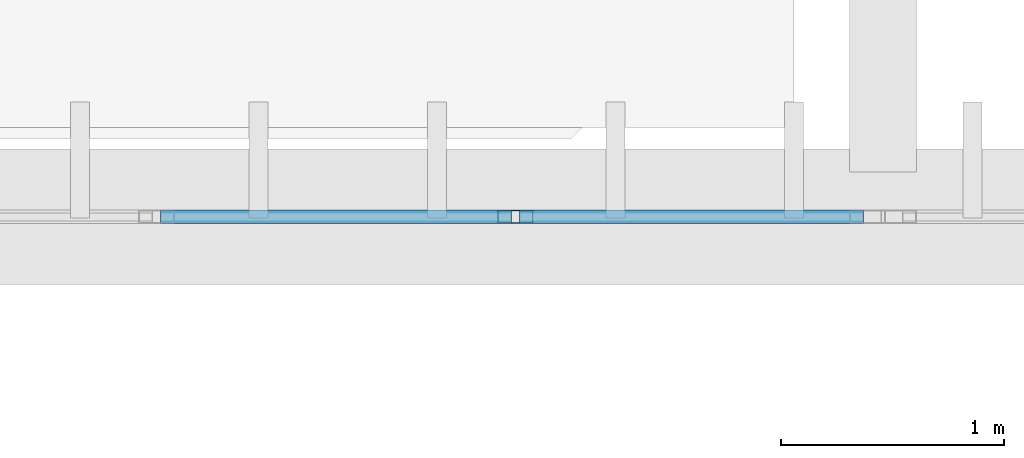
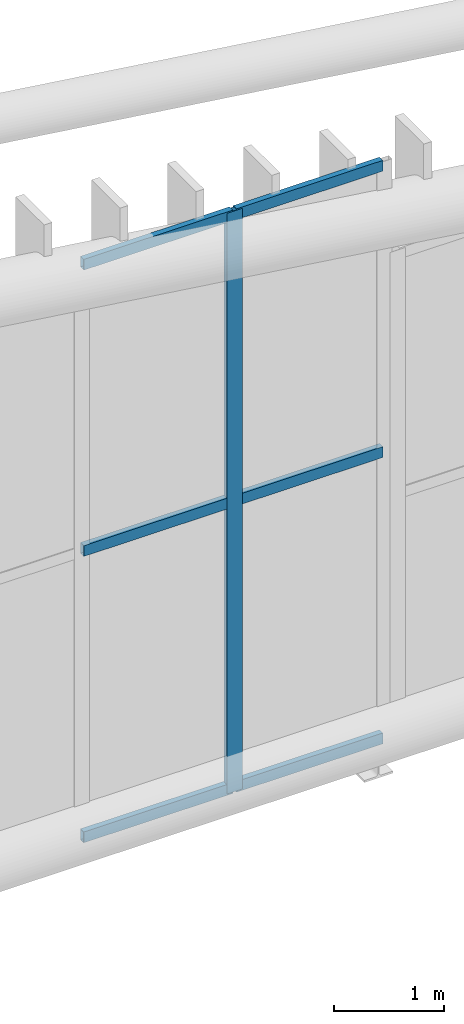
# One storey, part 330 of 397: 7 members, 1 element without a shape of its own.
"""IFC4 building model written with IfcOpenShell, lengths in metres."""

from ifc_helpers import new_model, si_unit, direction, frame, origin, origin_2d, place, context, subcontext, project, spatial, hollow_rectangle, extrude, material, material_profile, profile_set, type_object, element, aggregate, save


model = new_model("IFC4")

# Units and contexts
model_context = context("Model", 3, precision=1e-05, world=origin(), true_north=direction((0.0, 1.0)))
body_context = subcontext(model_context, "Body", "Model", "MODEL_VIEW")
ifc_project = project(units=[si_unit("LENGTHUNIT", "METRE"), si_unit("AREAUNIT", "SQUARE_METRE"), si_unit("VOLUMEUNIT", "CUBIC_METRE"), si_unit("PLANEANGLEUNIT", "RADIAN"), si_unit("MASSUNIT", "GRAM", prefix="KILO")], contexts=[model_context])

# Site, building, storey
site_placement = place(None, origin())
site = spatial("IfcSite", under=ifc_project, at=site_placement, CompositionType="ELEMENT")
building_placement = place(site_placement, origin())
building = spatial("IfcBuilding", under=site, at=building_placement, Name="Qandorah Velis Arena", CompositionType="ELEMENT")
storey_placement = place(building_placement, frame((0.0, 0.0, 27.5)))
storey = spatial("IfcBuildingStorey", under=building, at=storey_placement, Name="RF", CompositionType="ELEMENT", Elevation=27.5)

# Curtain wall, members
ifc_material_1 = material(Name="Solar-control low-E double glazing", Category="glass")
curtain_wall_type = type_object("IfcCurtainWallType", Name="ARC-CW-SYS06", PredefinedType="USERDEFINED", material=ifc_material_1)
curtain_wall_placement = place(storey_placement, origin())
curtain_wall = element("IfcCurtainWall", 1, at=curtain_wall_placement, inside=storey, type_object=curtain_wall_type, Name="Unitised curtain wall CROWN-4-06S1", ObjectType="UNITISED CURTAIN WALL", PredefinedType="USERDEFINED")
ifc_material_2 = material(Name="Champagne-bronze anodized aluminium 6063-T6", Category="aluminium")
ifc_material_profile_1 = material_profile(ifc_material_2, hollow_rectangle(XDim=0.06005859375, YDim=0.159912109375, WallThickness=0.00341796875, at=origin_2d()), Name="ALU MULLION 60x160")
ifc_profile_set_1 = profile_set([ifc_material_profile_1], Name="Champagne-bronze anodized aluminium 6063-T6")
member_type_1 = type_object("IfcMemberType", Name="ARC-CWM-160", PredefinedType="MULLION", material=ifc_profile_set_1)
member_1_placement = place(storey_placement, frame((91.951171875, 115.199951171875, -0.014892578125), z_axis=(0.0, 0.0, 1.0), x_axis=(0.0, 1.0, 0.0)))
member_1 = element("IfcMember", 2, at=member_1_placement, type_object=member_type_1, Name="CW06 mullion 4", PredefinedType="MULLION", context=body_context, shape_type="SweptSolid", body=[
    extrude(hollow_rectangle(XDim=0.06005859375, YDim=0.159912109375, WallThickness=0.00341796875, at=origin_2d()), origin(), (0.0, 0.0, 1.0), 6.469482421875),
])
ifc_material_profile_2 = material_profile(ifc_material_2, hollow_rectangle(XDim=0.06005859375, YDim=0.1201171875, WallThickness=0.0029296875, at=origin_2d()), Name="ALU TRANSOM 60x120")
ifc_profile_set_2 = profile_set([ifc_material_profile_2], Name="Champagne-bronze anodized aluminium 6063-T6")
member_type_2 = type_object("IfcMemberType", Name="ARC-CWT-120", PredefinedType="USERDEFINED", material=ifc_profile_set_2)
member_2_placement = place(storey_placement, frame((90.360595703125, 115.199951171875, 0.030029296875), z_axis=(1.0, 0.0, 0.0), x_axis=(0.0, 1.0, 0.0)))
member_2 = element("IfcMember", 3, at=member_2_placement, type_object=member_type_2, Name="CW06 transom 3.1", ObjectType="TRANSOM", PredefinedType="USERDEFINED", context=body_context, shape_type="SweptSolid", body=[
    extrude(hollow_rectangle(XDim=0.06005859375, YDim=0.1201171875, WallThickness=0.0029296875, at=origin_2d()), origin(), (0.0, 0.0, 1.0), 1.57275390625),
])
member_3_placement = place(storey_placement, frame((90.360595703125, 115.199951171875, 3.219970703125), z_axis=(1.0, 0.0, 0.0), x_axis=(0.0, 1.0, 0.0)))
member_3 = element("IfcMember", 4, at=member_3_placement, type_object=member_type_2, Name="CW06 transom 3.2", ObjectType="TRANSOM", PredefinedType="USERDEFINED", context=body_context, shape_type="SweptSolid", body=[
    extrude(hollow_rectangle(XDim=0.06005859375, YDim=0.1201171875, WallThickness=0.0029296875, at=origin_2d()), origin(), (0.0, 0.0, 1.0), 1.57275390625),
])
member_4_placement = place(storey_placement, frame((90.360595703125, 115.199951171875, 6.40966796875), z_axis=(1.0, 0.0, 0.0), x_axis=(0.0, 1.0, 0.0)))
member_4 = element("IfcMember", 5, at=member_4_placement, type_object=member_type_2, Name="CW06 transom 3.3", ObjectType="TRANSOM", PredefinedType="USERDEFINED", context=body_context, shape_type="SweptSolid", body=[
    extrude(hollow_rectangle(XDim=0.06005859375, YDim=0.1201171875, WallThickness=0.0029296875, at=origin_2d()), origin(), (0.0, 0.0, 1.0), 1.57275390625),
])
member_5_placement = place(storey_placement, frame((91.96923828125, 115.199951171875, 0.030029296875), z_axis=(1.0, 0.0, 0.0), x_axis=(0.0, 1.0, 0.0)))
member_5 = element("IfcMember", 6, at=member_5_placement, type_object=member_type_2, Name="CW06 transom 4.1", ObjectType="TRANSOM", PredefinedType="USERDEFINED", context=body_context, shape_type="SweptSolid", body=[
    extrude(hollow_rectangle(XDim=0.06005859375, YDim=0.1201171875, WallThickness=0.0029296875, at=origin_2d()), origin(), (0.0, 0.0, 1.0), 1.542724609375),
])
member_6_placement = place(storey_placement, frame((91.96923828125, 115.199951171875, 3.219970703125), z_axis=(1.0, 0.0, 0.0), x_axis=(0.0, 1.0, 0.0)))
member_6 = element("IfcMember", 7, at=member_6_placement, type_object=member_type_2, Name="CW06 transom 4.2", ObjectType="TRANSOM", PredefinedType="USERDEFINED", context=body_context, shape_type="SweptSolid", body=[
    extrude(hollow_rectangle(XDim=0.06005859375, YDim=0.1201171875, WallThickness=0.0029296875, at=origin_2d()), origin(), (0.0, 0.0, 1.0), 1.542724609375),
])
member_7_placement = place(storey_placement, frame((91.96923828125, 115.199951171875, 6.40966796875), z_axis=(1.0, 0.0, 0.0), x_axis=(0.0, 1.0, 0.0)))
member_7 = element("IfcMember", 8, at=member_7_placement, type_object=member_type_2, Name="CW06 transom 4.3", ObjectType="TRANSOM", PredefinedType="USERDEFINED", context=body_context, shape_type="SweptSolid", body=[
    extrude(hollow_rectangle(XDim=0.06005859375, YDim=0.1201171875, WallThickness=0.0029296875, at=origin_2d()), origin(), (0.0, 0.0, 1.0), 1.542724609375),
])
aggregate(curtain_wall, [member_1, member_2, member_3, member_4, member_5, member_6, member_7])

save(model, "model.ifc")
